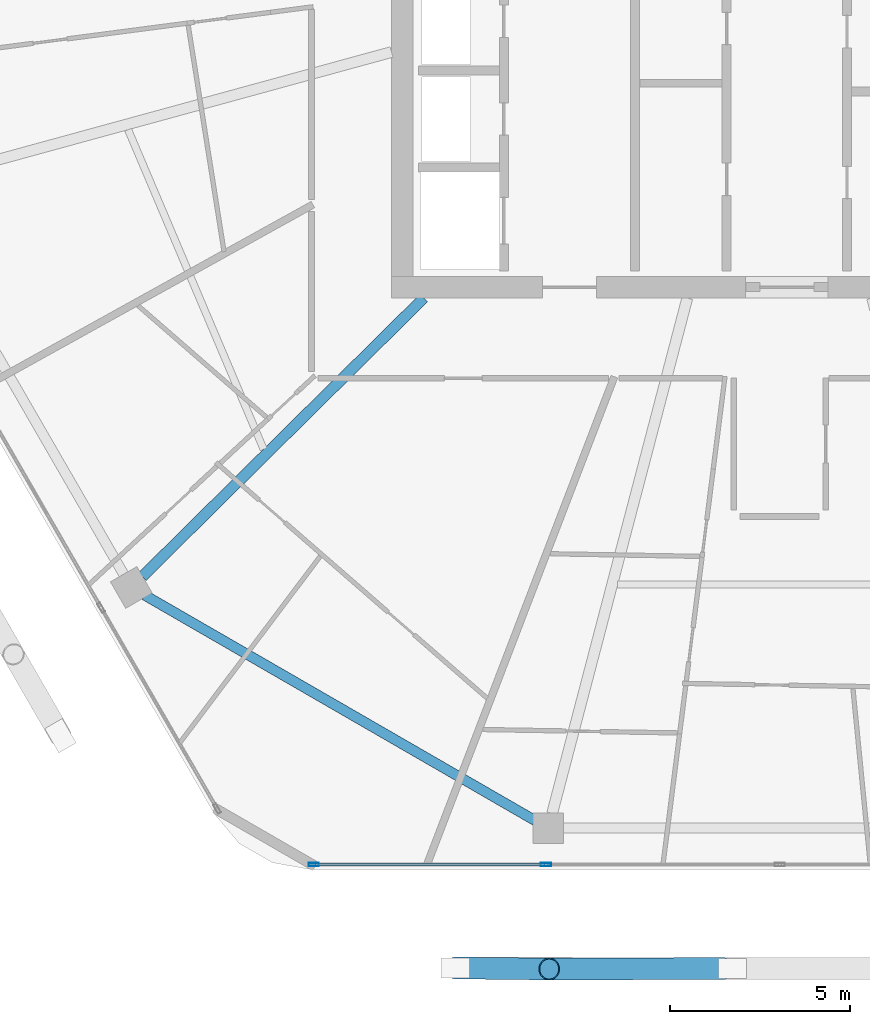
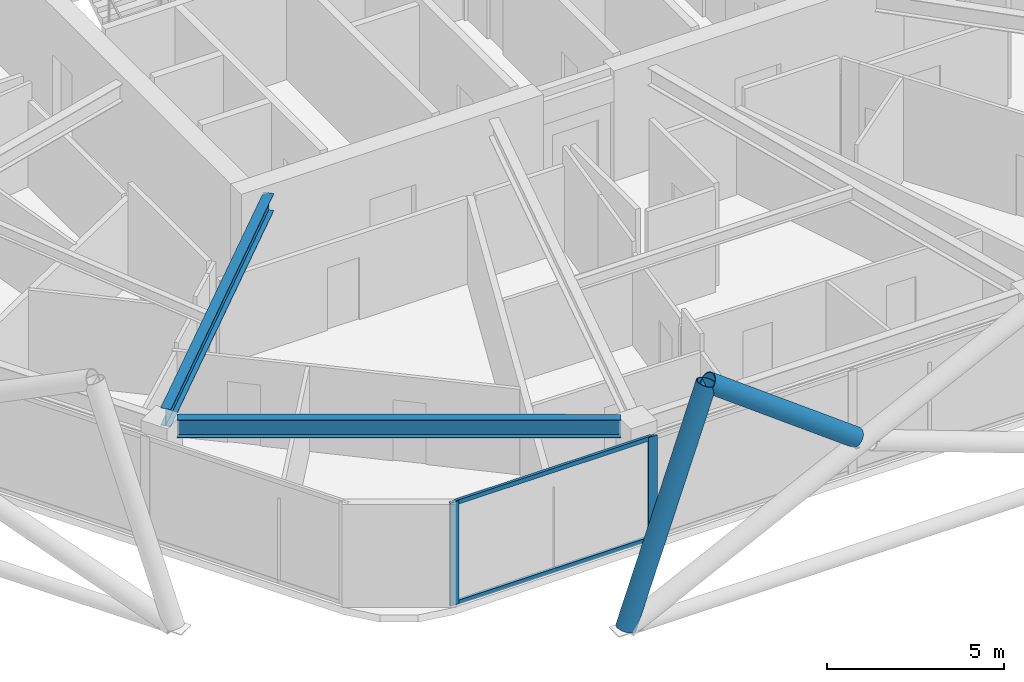
# One storey, part 3 of 29: 6 members, 2 beams, 1 element without a shape of its own.
"""IFC4 building model written with IfcOpenShell, lengths in metres."""

from ifc_helpers import new_model, si_unit, direction, frame, origin, origin_2d, place, context, subcontext, project, spatial, hollow_rectangle, hollow_circle, i_section, extrude, material, material_profile, profile_set, type_object, element, aggregate, save


model = new_model("IFC4")

# Units and contexts
model_context = context("Model", 3, precision=1e-05, world=origin(), true_north=direction((0.0, 1.0)))
body_context = subcontext(model_context, "Body", "Model", "MODEL_VIEW")
ifc_project = project(units=[si_unit("LENGTHUNIT", "METRE"), si_unit("AREAUNIT", "SQUARE_METRE"), si_unit("VOLUMEUNIT", "CUBIC_METRE"), si_unit("PLANEANGLEUNIT", "RADIAN"), si_unit("MASSUNIT", "GRAM", prefix="KILO")], contexts=[model_context])

# Site, building, storey
site_placement = place(None, origin())
site = spatial("IfcSite", under=ifc_project, at=site_placement, CompositionType="ELEMENT")
building_placement = place(site_placement, origin())
building = spatial("IfcBuilding", under=site, at=building_placement, Name="Zuhravey Tower", CompositionType="ELEMENT")
storey_placement = place(building_placement, frame((0.0, 0.0, 292.0)))
storey = spatial("IfcBuildingStorey", under=building, at=storey_placement, Name="L74", CompositionType="ELEMENT", Elevation=292.0)

# Curtain wall, members
ifc_material_1 = material(Name="Thermally broken anodised aluminium", Category="aluminium")
curtain_wall_type = type_object("IfcCurtainWallType", Name="Zone 3-4 High-Rise Curtain Wall CW4", PredefinedType="NOTDEFINED", material=ifc_material_1)
curtain_wall_placement = place(storey_placement, origin())
curtain_wall = element("IfcCurtainWall", 1, at=curtain_wall_placement, inside=storey, type_object=curtain_wall_type, Name="L74 CW4 CW-L74-F5-1", PredefinedType="NOTDEFINED")
ifc_material_2 = material(Name="Anodised aluminium", Category="aluminium")
ifc_material_profile_1 = material_profile(ifc_material_2, hollow_rectangle(XDim=0.090087890625, YDim=0.284912109375, WallThickness=0.0048828125, at=origin_2d()), Name="ALU-RHS-90x285x5")
ifc_profile_set_1 = profile_set([ifc_material_profile_1], Name="Anodised aluminium")
member_type_1 = type_object("IfcMemberType", Name="Curtain-Wall Mullion 90x180", PredefinedType="MULLION", material=ifc_profile_set_1)
member_1_placement = place(storey_placement, frame((29.49365234375, 6.436279296875, 0.0), z_axis=(0.0, 0.0, 1.0), x_axis=(0.0, -1.0, 0.0)))
member_1 = element("IfcMember", 2, at=member_1_placement, type_object=member_type_1, Name="CW4 mullion 4", PredefinedType="MULLION", context=body_context, shape_type="SweptSolid", body=[
    extrude(hollow_rectangle(XDim=0.090087890625, YDim=0.284912109375, WallThickness=0.0048828125, at=origin_2d()), origin(), (0.0, 0.0, 1.0), 3.550048828125),
])
member_2_placement = place(storey_placement, frame((23.0322265625, 6.436279296875, 0.0), z_axis=(0.0, 0.0, 1.0), x_axis=(0.0, -1.0, 0.0)))
member_2 = element("IfcMember", 3, at=member_2_placement, type_object=member_type_1, Name="CW4 mullion 5", PredefinedType="MULLION", context=body_context, shape_type="SweptSolid", body=[
    extrude(hollow_rectangle(XDim=0.090087890625, YDim=0.284912109375, WallThickness=0.0048828125, at=origin_2d()), origin(), (0.0, 0.0, 1.0), 3.550048828125),
])
ifc_material_profile_2 = material_profile(ifc_material_2, hollow_rectangle(XDim=0.090087890625, YDim=0.14990234375, WallThickness=0.0048828125, at=origin_2d()), Name="ALU-RHS-90x150x5")
ifc_profile_set_2 = profile_set([ifc_material_profile_2], Name="Anodised aluminium")
member_type_2 = type_object("IfcMemberType", Name="Curtain-Wall Transom 90x150", PredefinedType="USERDEFINED", material=ifc_profile_set_2)
member_3_placement = place(storey_placement, frame((29.44873046875, 6.436279296875, 0.044921875), z_axis=(-1.0, 0.0, 0.0), x_axis=(0.0, -1.0, 0.0)))
member_3 = element("IfcMember", 4, at=member_3_placement, type_object=member_type_2, Name="CW4 transom 4.1", ObjectType="TRANSOM", PredefinedType="USERDEFINED", context=body_context, shape_type="SweptSolid", body=[
    extrude(hollow_rectangle(XDim=0.090087890625, YDim=0.14990234375, WallThickness=0.0048828125, at=origin_2d()), origin(), (0.0, 0.0, 1.0), 6.371337890625),
])
member_4_placement = place(storey_placement, frame((29.44873046875, 6.436279296875, 3.5048828125), z_axis=(-1.0, 0.0, 0.0), x_axis=(0.0, -1.0, 0.0)))
member_4 = element("IfcMember", 5, at=member_4_placement, type_object=member_type_2, Name="CW4 transom 4.2", ObjectType="TRANSOM", PredefinedType="USERDEFINED", context=body_context, shape_type="SweptSolid", body=[
    extrude(hollow_rectangle(XDim=0.090087890625, YDim=0.14990234375, WallThickness=0.0048828125, at=origin_2d()), origin(), (0.0, 0.0, 1.0), 6.371337890625),
])
aggregate(curtain_wall, [member_1, member_2, member_3, member_4])

# Members
ifc_material_3 = material(Name="Steel SM355", Category="steel")
ifc_material_profile_3 = material_profile(ifc_material_3, hollow_circle(Radius=0.3046875, WallThickness=0.028076171875, at=origin_2d()), Name="CHS-609.6x28")
ifc_profile_set_3 = profile_set([ifc_material_profile_3], Name="Steel SM355")
member_type_3 = type_object("IfcMemberType", Name="Exoskeleton Zone 3 Diagrid CHS610x28", PredefinedType="BRACE", material=ifc_profile_set_3)
member_5_placement = place(storey_placement, frame((26.977294921875, 3.556396484375, -0.446044921875), z_axis=(0.326057972231, -0.003753053583, 0.945342326003), x_axis=(0.011509624999, 0.999933762072, 0.0)))
element("IfcMember", 6, at=member_5_placement, inside=storey, type_object=member_type_3, Name="L74 Face 5 Diagrid Brace 1", PredefinedType="BRACE", context=body_context, shape_type="SweptSolid", body=[
    extrude(hollow_circle(Radius=0.3046875, WallThickness=0.028076171875, at=origin_2d()), origin(), (0.0, 0.0, 1.0), 8.001220703125),
])
member_6_placement = place(storey_placement, frame((34.452880859375, 3.540771484375, 3.51220703125), z_axis=(-0.801711857195, -0.002351417837, 0.597706089033), x_axis=(0.002932983592, -0.999995698794, 0.0)))
element("IfcMember", 7, at=member_6_placement, inside=storey, type_object=member_type_3, Name="L74 Face 5 Split Diagrid Brace 3B", PredefinedType="BRACE", context=body_context, shape_type="SweptSolid", body=[
    extrude(hollow_circle(Radius=0.3046875, WallThickness=0.028076171875, at=origin_2d()), origin(), (0.0, 0.0, 1.0), 6.02197265625),
])

# Beams
ifc_material_profile_4 = material_profile(ifc_material_3, i_section(OverallWidth=0.280029296875, OverallDepth=0.6201171875, WebThickness=0.011962890625, FlangeThickness=0.02001953125, at=origin_2d()), Name="H-620x280x12x20")
ifc_profile_set_4 = profile_set([ifc_material_profile_4], Name="Steel SM355")
beam_type_1 = type_object("IfcBeamType", Name="Perimeter Ring Beam H620x280", PredefinedType="BEAM", material=ifc_profile_set_4)
beam_1_placement = place(storey_placement, frame((18.3271484375, 13.931396484375, 3.239990234375), z_axis=(0.866018312875, -0.500012281615, 0.0), x_axis=(0.500012281615, 0.866018312875, 0.0)))
element("IfcBeam", 8, at=beam_1_placement, inside=storey, type_object=beam_type_1, Name="L74 PB3 BM-L74-PB-08", PredefinedType="BEAM", context=body_context, shape_type="SweptSolid", body=[
    extrude(i_section(OverallWidth=0.280029296875, OverallDepth=0.6201171875, WebThickness=0.011962890625, FlangeThickness=0.02001953125, at=origin_2d()), origin(), (0.0, 0.0, 1.0), 12.541748046875),
])
ifc_material_profile_5 = material_profile(ifc_material_3, i_section(OverallWidth=0.300048828125, OverallDepth=0.60009765625, WebThickness=0.011962890625, FlangeThickness=0.02001953125, at=origin_2d()), Name="H-600x300x12x20")
ifc_profile_set_5 = profile_set([ifc_material_profile_5], Name="Steel SM355")
beam_type_2 = type_object("IfcBeamType", Name="Radial Primary Girder H600x300", PredefinedType="BEAM", material=ifc_profile_set_5)
beam_2_placement = place(storey_placement, frame((26.09326171875, 22.197021484375, 3.25), z_axis=(-0.710808169267, -0.70338591577, 0.0), x_axis=(0.70338591577, -0.710808169267, 0.0)))
element("IfcBeam", 9, at=beam_2_placement, inside=storey, type_object=beam_type_2, Name="L74 RG3 BM-L74-RAD-08", PredefinedType="BEAM", context=body_context, shape_type="SweptSolid", body=[
    extrude(i_section(OverallWidth=0.300048828125, OverallDepth=0.60009765625, WebThickness=0.011962890625, FlangeThickness=0.02001953125, at=origin_2d()), origin(), (0.0, 0.0, 1.0), 11.019287109375),
])

save(model, "model.ifc")
